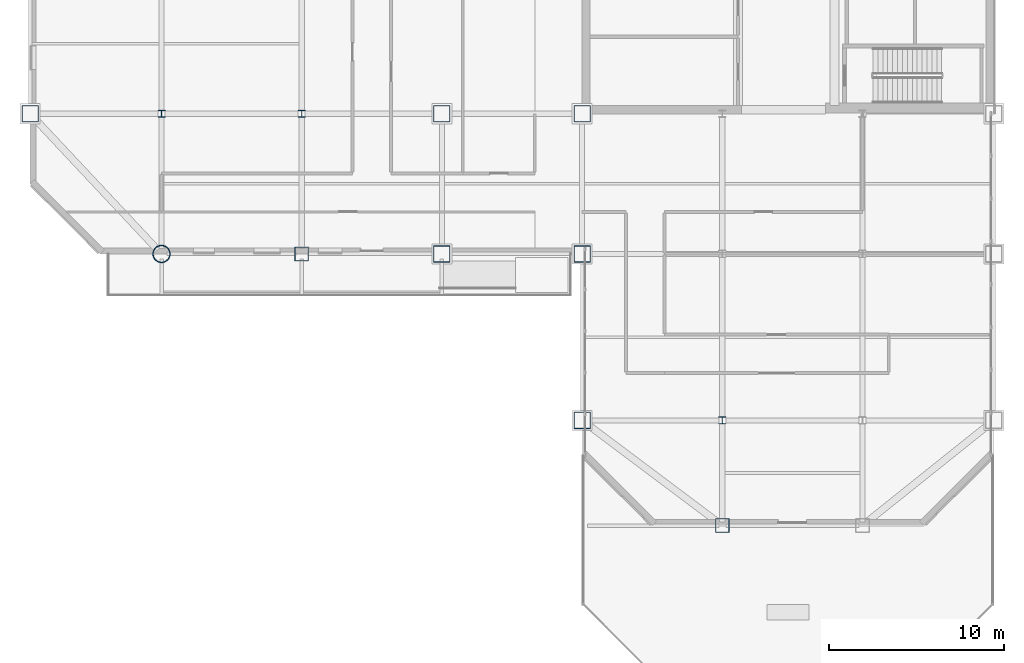
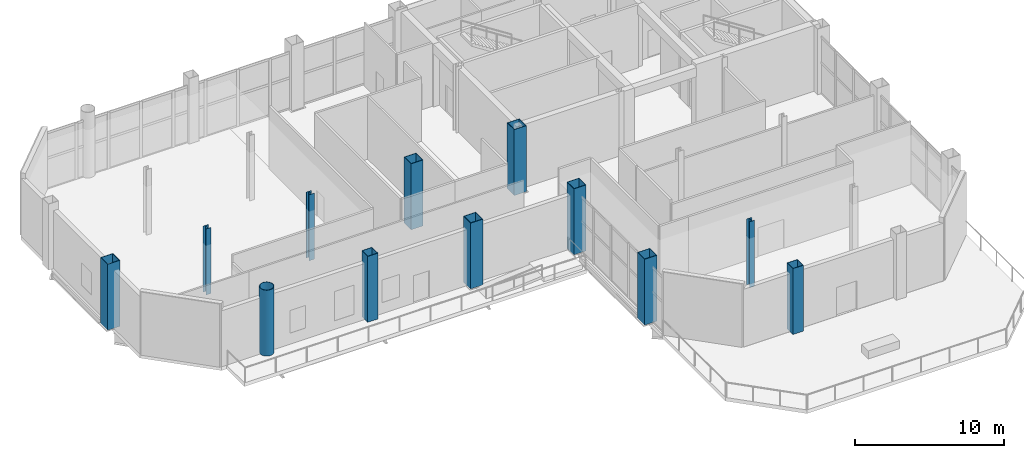
# One storey, part 1 of 21: 12 columns.
"""IFC4 building model written with IfcOpenShell, lengths in metres."""

import ifcopenshell
import ifcopenshell.guid

model = None  # the IFC model being written
_history = None  # IfcOwnerHistory: only IFC2X3 demands one
_inside = {}  # id of a spatial element -> (the spatial element, [elements in it])
_under = {}  # id of a project, library or spatial element -> (it, [spatial elements below it])
_declared = {}  # id of a project -> (the project, [libraries it declares])
_typed = {}  # id of a type object -> (the type object, [elements of that type])
_made_of = {}  # id of a material, layer set ... -> (it, [elements and type objects made of it])


def new_model(schema):
    """Start an empty IFC model of exactly this schema.

    Asked for "IFC4X3", IfcOpenShell would pick the latest addendum, in which some entities
    have other attributes; the version numbers below select the first issue.
    IFC2X3 requires an IfcOwnerHistory on every rooted entity: one is made here for all.
    """
    global model, _history
    if schema == "IFC4X3":
        model = ifcopenshell.file(schema_version=(4, 3, 0, 0))
    else:
        model = ifcopenshell.file(schema=schema)
    _inside.clear()
    _under.clear()
    _declared.clear()
    _typed.clear()
    _made_of.clear()
    _history = None
    if model.schema == "IFC2X3":
        org = make("IfcOrganization", Name="unknown")
        user = make(
            "IfcPersonAndOrganization",
            ThePerson=make("IfcPerson", FamilyName="unknown"),
            TheOrganization=org,
        )
        app = make(
            "IfcApplication",
            ApplicationDeveloper=org,
            Version="unknown",
            ApplicationFullName="unknown",
            ApplicationIdentifier="unknown",
        )
        _history = make(
            "IfcOwnerHistory",
            OwningUser=user,
            OwningApplication=app,
            ChangeAction="ADDED",
            CreationDate=0,
        )
    return model


def make(cls, **values):
    """One entity of the class cls with the attributes given. An attribute that is None is left unset."""
    return model.create_entity(
        cls, **{name: value for name, value in values.items() if value is not None}
    )


def rooted(cls, **values):
    """An entity with a GlobalId (a new one), such as an element, a storey or a relation."""
    return make(cls, GlobalId=ifcopenshell.guid.new(), OwnerHistory=_history, **values)


def si_unit(unit_type, name, prefix=None):
    """IfcSIUnit, for example si_unit("LENGTHUNIT", "METRE", prefix="MILLI")."""
    return make("IfcSIUnit", UnitType=unit_type, Prefix=prefix, Name=name)


def assignment(units):
    """IfcUnitAssignment: the units of a project."""
    return None if units is None else make("IfcUnitAssignment", Units=units)


def point(xyz):
    """IfcCartesianPoint."""
    return None if xyz is None else make("IfcCartesianPoint", Coordinates=xyz)


def direction(xyz):
    """IfcDirection."""
    return None if xyz is None else make("IfcDirection", DirectionRatios=xyz)


def frame(location, z_axis=None, x_axis=None):
    """IfcAxis2Placement3D, a coordinate frame: its origin and axes. An axis left out is left unset."""
    return make(
        "IfcAxis2Placement3D",
        Location=point(location),
        Axis=direction(z_axis),
        RefDirection=direction(x_axis),
    )


def frame_2d(location, x_axis=None):
    """IfcAxis2Placement2D, a coordinate frame in the plane: its origin and x axis."""
    return make(
        "IfcAxis2Placement2D", Location=point(location), RefDirection=direction(x_axis)
    )


def origin():
    """The frame at (0, 0, 0) with its axes left unset."""
    return frame((0.0, 0.0, 0.0))


def origin_2d():
    """The frame at (0, 0) in the plane with its x axis left unset."""
    return frame_2d((0.0, 0.0))


def place(relative_to, where):
    """IfcLocalPlacement: puts the frame where relative to a parent placement (None: the world)."""
    return make(
        "IfcLocalPlacement", PlacementRelTo=relative_to, RelativePlacement=where
    )


def context(
    kind, dimensions, precision=None, world=None, true_north=None, identifier=None
):
    """IfcGeometricRepresentationContext, for example the 3D "Model" context."""
    return make(
        "IfcGeometricRepresentationContext",
        ContextIdentifier=identifier,
        ContextType=kind,
        CoordinateSpaceDimension=dimensions,
        Precision=precision,
        WorldCoordinateSystem=world,
        TrueNorth=true_north,
    )


def subcontext(parent, identifier, kind, view, scale=None):
    """IfcGeometricRepresentationSubContext, for example "Body" below "Model"."""
    return make(
        "IfcGeometricRepresentationSubContext",
        ContextIdentifier=identifier,
        ContextType=kind,
        ParentContext=parent,
        TargetScale=scale,
        TargetView=view,
    )


def project(units=None, contexts=None):
    """IfcProject with its units and contexts."""
    return rooted(
        "IfcProject",
        Name="project",
        RepresentationContexts=contexts,
        UnitsInContext=assignment(units),
    )


def spatial(cls, under=None, at=None, **own):
    """A site, building, storey or space (cls), placed at a placement, below another one or the project."""
    s = rooted(cls, ObjectPlacement=at, **own)
    if under is not None:
        _under.setdefault(under.id(), (under, []))[1].append(s)
    return s


def profile(cls, at=None, kind="AREA", **sizes):
    """A parametric profile (cls). Its sizes go by their IFC names, for example OverallWidth=200.0."""
    return make(cls, ProfileType=kind, Position=at, **sizes)


def hollow_rectangle(**sizes):
    """IfcRectangleHollowProfileDef."""
    return profile("IfcRectangleHollowProfileDef", **sizes)


def hollow_circle(**sizes):
    """IfcCircleHollowProfileDef."""
    return profile("IfcCircleHollowProfileDef", **sizes)


def i_section(**sizes):
    """IfcIShapeProfileDef."""
    return profile("IfcIShapeProfileDef", **sizes)


def extrude(swept, where, along, depth):
    """IfcExtrudedAreaSolid: the profile swept, set in the frame where, extruded along a direction by depth."""
    return make(
        "IfcExtrudedAreaSolid",
        SweptArea=swept,
        Position=where,
        ExtrudedDirection=direction(along),
        Depth=depth,
    )


def shape(context_of_items, identifier, shape_type, items):
    """IfcShapeRepresentation: the items that make up one representation, for example the "Body"."""
    return make(
        "IfcShapeRepresentation",
        ContextOfItems=context_of_items,
        RepresentationIdentifier=identifier,
        RepresentationType=shape_type,
        Items=items,
    )


def material(Name=None, Category=None):
    """IfcMaterial."""
    return make("IfcMaterial", Name=Name, Category=Category)


def material_profile(
    of_material, cross_section, Name=None, Category=None, Priority=None
):
    """IfcMaterialProfile: a cross section and its material."""
    return make(
        "IfcMaterialProfile",
        Name=Name,
        Material=of_material,
        Profile=cross_section,
        Priority=Priority,
        Category=Category,
    )


def profile_set(profiles, Name=None, composite=None):
    """IfcMaterialProfileSet."""
    return make(
        "IfcMaterialProfileSet",
        Name=Name,
        MaterialProfiles=profiles,
        CompositeProfile=composite,
    )


def made_of(thing, what):
    """Note that an element or type object is made of a material, layer set ...; save() writes the relation."""
    if what is not None:
        _made_of.setdefault(what.id(), (what, []))[1].append(thing)
    return thing


def type_object(cls, material=None, **own):
    """A type object (cls), such as IfcWallType, which elements share."""
    return made_of(rooted(cls, **own), material)


def element(
    cls,
    number,
    at=None,
    inside=None,
    cuts=None,
    type_object=None,
    material=None,
    context=None,
    identifier="Body",
    shape_type=None,
    held_by="IfcProductDefinitionShape",
    body=None,
    shapes=None,
    **own,
):
    """One element of the class cls, such as IfcWall. Its Tag is "e" and its number.

    at: its placement. inside: the storey or other place that contains it. cuts: it is an
    opening in that element (IfcRelVoidsElement). A single representation is given by context,
    identifier, shape_type and body (its items); several are given by shapes. held_by: the class
    of the entity that holds the representations. save() writes the other relations.
    """
    e = rooted(cls, Tag="e%d" % number, ObjectPlacement=at, **own)
    if body is not None:
        shapes = [shape(context, identifier, shape_type, body)]
    if shapes is not None:
        e.Representation = make(held_by, Representations=shapes)
    if inside is not None:
        _inside.setdefault(inside.id(), (inside, []))[1].append(e)
    if cuts is not None:
        rooted(
            "IfcRelVoidsElement", RelatingBuildingElement=cuts, RelatedOpeningElement=e
        )
    if type_object is not None:
        _typed.setdefault(type_object.id(), (type_object, []))[1].append(e)
    return made_of(e, material)


def aggregate(whole, parts):
    """IfcRelAggregates: a whole, such as a stair, and the parts it consists of."""
    return rooted("IfcRelAggregates", RelatingObject=whole, RelatedObjects=parts)


def save(model, path):
    """Write the relations noted so far, then the file.

    IfcRelAggregates (storeys below a building ...), IfcRelContainedInSpatialStructure (elements
    in a storey), IfcRelDefinesByType, IfcRelAssociatesMaterial and IfcRelDeclares: one each for
    every whole, place, type object, material and project.
    """
    for whole, parts in _under.values():
        aggregate(whole, parts)
    for where, things in _inside.values():
        rooted(
            "IfcRelContainedInSpatialStructure",
            RelatedElements=things,
            RelatingStructure=where,
        )
    for kind, things in _typed.values():
        rooted("IfcRelDefinesByType", RelatedObjects=things, RelatingType=kind)
    for what, things in _made_of.values():
        rooted("IfcRelAssociatesMaterial", RelatedObjects=things, RelatingMaterial=what)
    for by, libraries in _declared.values():
        rooted("IfcRelDeclares", RelatingContext=by, RelatedDefinitions=libraries)
    model.write(path)


model = new_model("IFC4")

# Units and contexts
model_context = context("Model", 3, precision=1e-05, world=origin(), true_north=direction((0.0, 1.0)))
body_context = subcontext(model_context, "Body", "Model", "MODEL_VIEW")
ifc_project = project(units=[si_unit("LENGTHUNIT", "METRE"), si_unit("AREAUNIT", "SQUARE_METRE"), si_unit("VOLUMEUNIT", "CUBIC_METRE"), si_unit("PLANEANGLEUNIT", "RADIAN"), si_unit("MASSUNIT", "GRAM", prefix="KILO")], contexts=[model_context])

# Site, building, storey
site_placement = place(None, origin())
site = spatial("IfcSite", under=ifc_project, at=site_placement, CompositionType="ELEMENT")
building_placement = place(site_placement, origin())
building = spatial("IfcBuilding", under=site, at=building_placement, Name="Qianrong Seaharbour Tower", CompositionType="ELEMENT")
storey_placement = place(building_placement, frame((0.0, 0.0, 200.39990234375)))
storey = spatial("IfcBuildingStorey", under=building, at=storey_placement, Name="L48", CompositionType="ELEMENT", Elevation=200.39990234375)

# Columns
ifc_material = material(Name="Structural steel SN490B", Category="steel")
ifc_material_profile_1 = material_profile(ifc_material, hollow_rectangle(XDim=0.949951171875, YDim=0.949951171875, WallThickness=0.035888671875, at=origin_2d()), Name="BOX950x950x36")
ifc_profile_set_1 = profile_set([ifc_material_profile_1], Name="Structural steel SN490B")
column_type_1 = type_object("IfcColumnType", Name="COL-CFT-950", PredefinedType="COLUMN", material=ifc_profile_set_1)
for number, where, z_axis, x_axis, name in (
    (1, (9.0, 36.0, 0.0), (0.0, 0.0, 1.0), (1.0, 0.0, 0.0), "L48 Column MC-4 at G2/GF"),
    (2, (32.5, 28.0, 0.0), (0.0, 0.0, 1.0), (1.0, 0.0, 0.0), "L48 Column MC-4 at G5/GE"),
    (3, (32.5, 36.0, 0.0), (0.0, 0.0, 1.0), (1.0, 0.0, 0.0), "L48 Column MC-4 at G5/GF"),
    (4, (40.5, 18.5, 0.0), (0.0, 0.0, 1.0), (1.0, 0.0, 0.0), "L48 Column MC-4 at G6/GD"),
    (5, (40.5, 28.0, 0.0), (0.0, 0.0, 1.0), (1.0, 0.0, 0.0), "L48 Column MC-4 at G6/GE"),
    (6, (40.5, 36.0, 0.0), (0.0, 0.0, 1.0), (1.0, 0.0, 0.0), "L48 Column MC-4 at G6/GF"),
):
    element("IfcColumn", number, at=place(storey_placement, frame(where, z_axis=z_axis, x_axis=x_axis)), inside=storey, type_object=column_type_1, Name=name, PredefinedType="COLUMN", context=body_context, shape_type="SweptSolid", body=[
        extrude(hollow_rectangle(XDim=0.949951171875, YDim=0.949951171875, WallThickness=0.035888671875, at=origin_2d()), origin(), (0.0, 0.0, 1.0), 5.400146484375),
    ])
ifc_material_profile_2 = material_profile(ifc_material, hollow_circle(Radius=0.5, WallThickness=0.035888671875, at=origin_2d()), Name="CHS1000x36")
ifc_profile_set_2 = profile_set([ifc_material_profile_2], Name="Structural steel SN490B")
column_type_2 = type_object("IfcColumnType", Name="COL-CHS-1000", PredefinedType="COLUMN", material=ifc_profile_set_2)
column_placement = place(storey_placement, frame((16.5, 28.0, 0.0), z_axis=(0.0, 0.0, 1.0), x_axis=(1.0, 0.0, 0.0)))
element("IfcColumn", 7, at=column_placement, inside=storey, type_object=column_type_2, Name="L48 Column CC-2 at G3/GE", PredefinedType="COLUMN", context=body_context, shape_type="SweptSolid", body=[
    extrude(hollow_circle(Radius=0.5, WallThickness=0.035888671875, at=origin_2d()), origin(), (0.0, 0.0, 1.0), 5.400146484375),
])
ifc_material_profile_3 = material_profile(ifc_material, i_section(OverallWidth=0.39990234375, OverallDepth=0.39990234375, WebThickness=0.012939453125, FlangeThickness=0.02099609375, FilletRadius=0.02197265625, at=origin_2d()), Name="H400x400x13x21")
ifc_profile_set_3 = profile_set([ifc_material_profile_3], Name="Structural steel SN490B")
column_type_3 = type_object("IfcColumnType", Name="COL-INT-H400", PredefinedType="COLUMN", material=ifc_profile_set_3)
for number, where, z_axis, x_axis, name in (
    (8, (16.5, 36.0, 0.0), (0.0, 0.0, 1.0), (1.0, 0.0, 0.0), "L48 Column IC-3 at G3/GF"),
    (9, (24.5, 36.0, 0.0), (0.0, 0.0, 1.0), (1.0, 0.0, 0.0), "L48 Column IC-3 at G4/GF"),
    (10, (48.5, 18.5, 0.0), (0.0, 0.0, 1.0), (1.0, 0.0, 0.0), "L48 Column IC-3 at G7/GD"),
):
    element("IfcColumn", number, at=place(storey_placement, frame(where, z_axis=z_axis, x_axis=x_axis)), inside=storey, type_object=column_type_3, Name=name, PredefinedType="COLUMN", context=body_context, shape_type="SweptSolid", body=[
        extrude(i_section(OverallWidth=0.39990234375, OverallDepth=0.39990234375, WebThickness=0.012939453125, FlangeThickness=0.02099609375, FilletRadius=0.02197265625, at=origin_2d()), origin(), (0.0, 0.0, 1.0), 5.400146484375),
    ])
ifc_material_profile_4 = material_profile(ifc_material, hollow_rectangle(XDim=0.800048828125, YDim=0.800048828125, WallThickness=0.031982421875, at=origin_2d()), Name="BOX800x800x32")
ifc_profile_set_4 = profile_set([ifc_material_profile_4], Name="Structural steel SN490B")
column_type_4 = type_object("IfcColumnType", Name="COL-PER-800", PredefinedType="COLUMN", material=ifc_profile_set_4)
for number, where, z_axis, x_axis, name in (
    (11, (24.5, 28.0, 0.0), (0.0, 0.0, 1.0), (1.0, 0.0, 0.0), "L48 Column PC-3 at G4/GE"),
    (12, (48.5, 12.5, 0.0), (0.0, 0.0, 1.0), (1.0, 0.0, 0.0), "L48 Column PC-3 at G7/GC"),
):
    element("IfcColumn", number, at=place(storey_placement, frame(where, z_axis=z_axis, x_axis=x_axis)), inside=storey, type_object=column_type_4, Name=name, PredefinedType="COLUMN", context=body_context, shape_type="SweptSolid", body=[
        extrude(hollow_rectangle(XDim=0.800048828125, YDim=0.800048828125, WallThickness=0.031982421875, at=origin_2d()), origin(), (0.0, 0.0, 1.0), 5.400146484375),
    ])

save(model, "model.ifc")
